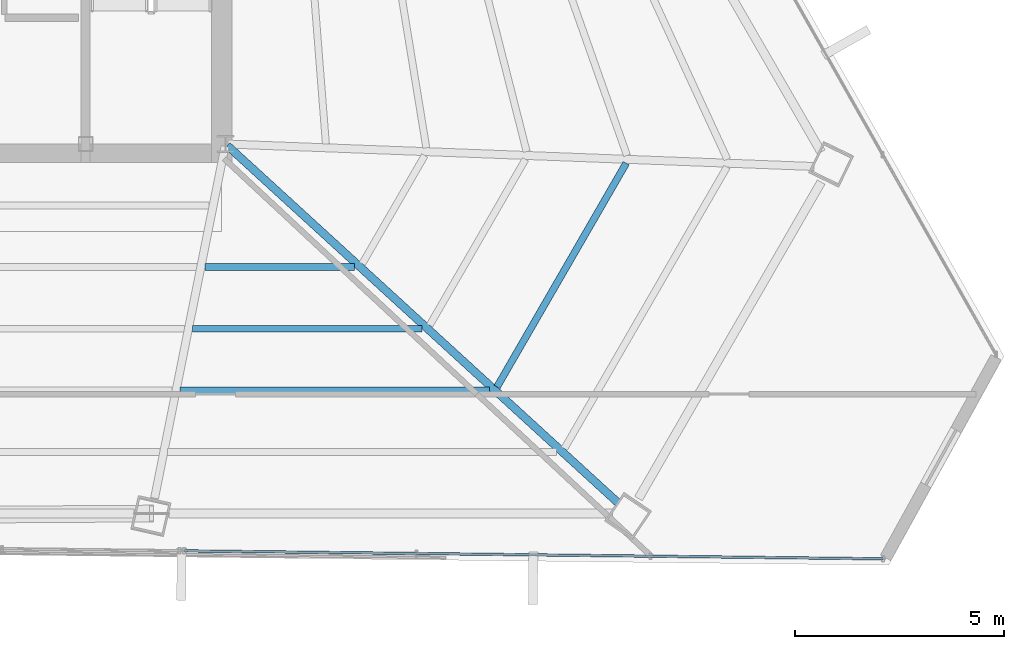
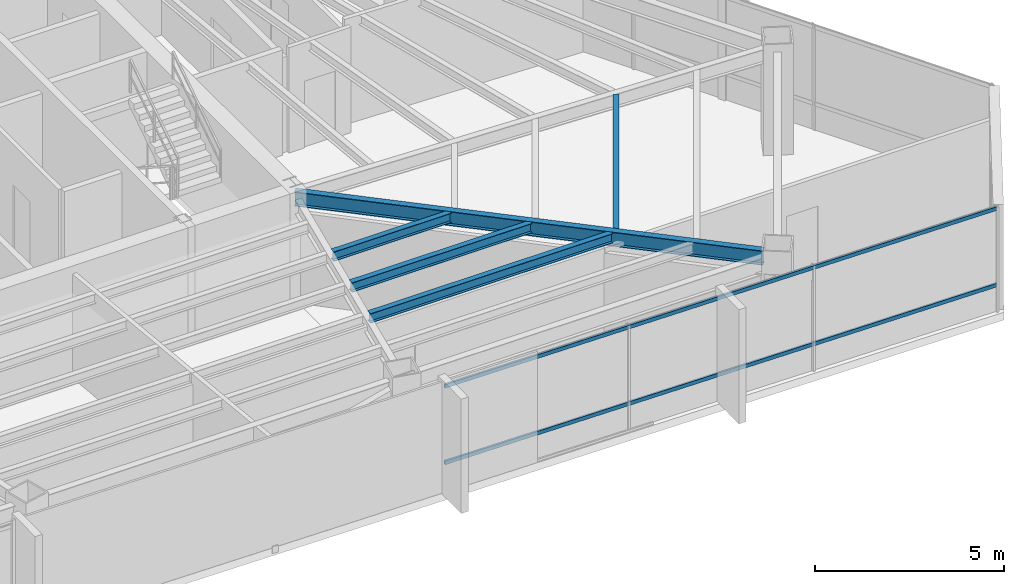
# One storey, part 19 of 40: 5 beams, 2 members, 1 element without a shape of its own.
"""IFC4 building model written with IfcOpenShell, lengths in metres."""

from ifc_helpers import new_model, si_unit, direction, frame, origin, origin_2d, place, context, subcontext, project, spatial, hollow_rectangle, i_section, extrude, source, transform, mapped, material, material_profile, profile_set, type_object, type_shapes, element, aggregate, save


model = new_model("IFC4")

# Units and contexts
model_context = context("Model", 3, precision=1e-05, world=origin(), true_north=direction((0.0, 1.0)))
body_context = subcontext(model_context, "Body", "Model", "MODEL_VIEW")
ifc_project = project(units=[si_unit("LENGTHUNIT", "METRE"), si_unit("AREAUNIT", "SQUARE_METRE"), si_unit("VOLUMEUNIT", "CUBIC_METRE"), si_unit("PLANEANGLEUNIT", "RADIAN"), si_unit("MASSUNIT", "GRAM", prefix="KILO")], contexts=[model_context])

# Site, building, storey
site_placement = place(None, origin())
site = spatial("IfcSite", under=ifc_project, at=site_placement, CompositionType="ELEMENT")
building_placement = place(site_placement, origin())
building = spatial("IfcBuilding", under=site, at=building_placement, Name="Caelisora Broadcast Tower", CompositionType="ELEMENT")
storey_placement = place(building_placement, frame((0.0, 0.0, 213.25)))
storey = spatial("IfcBuildingStorey", under=building, at=storey_placement, Name="L56", CompositionType="ELEMENT", Elevation=213.25)

# Beams
ifc_material_1 = material(Name="Steel Grade 350 (AS/NZS 3679.1)", Category="steel")
ifc_material_profile_1 = material_profile(ifc_material_1, i_section(OverallWidth=0.19091796875, OverallDepth=0.46044921875, WebThickness=0.010009765625, FlangeThickness=0.01611328125, at=origin_2d()), Name="Steel Grade 350 (AS/NZS 3679.1)")
ifc_profile_set_1 = profile_set([ifc_material_profile_1], Name="Steel Grade 350 (AS/NZS 3679.1)")
beam_type_1 = type_object("IfcBeamType", Name="PG06", PredefinedType="BEAM", material=ifc_profile_set_1)
shared_shape_1 = source(origin(), body_context, "Body", "SweptSolid", [
    extrude(i_section(OverallWidth=0.19091796875, OverallDepth=0.46044921875, WebThickness=0.010009765625, FlangeThickness=0.01611328125, at=origin_2d()), origin(), (0.0, 0.0, 1.0), 12.681640625),
])
type_shapes(beam_type_1, [shared_shape_1])
beam_1_placement = place(storey_placement, frame((45.544189453125, 17.359619140625, 3.169921875), z_axis=(0.738084415517, -0.674708378169, 0.0), x_axis=(0.674708378169, 0.738084415517, 0.0)))
element("IfcBeam", 1, at=beam_1_placement, inside=storey, type_object=beam_type_1, Name="L56 beam PG06", PredefinedType="BEAM", context=body_context, shape_type="MappedRepresentation", body=[
    mapped(shared_shape_1, transform((0.0, 0.0, 0.0), scale=1.0)),
])
ifc_material_profile_2 = material_profile(ifc_material_1, i_section(OverallWidth=0.166015625, OverallDepth=0.30712890625, WebThickness=0.006591796875, FlangeThickness=0.01171875, at=origin_2d()), Name="Steel Grade 350 (AS/NZS 3679.1)")
ifc_profile_set_2 = profile_set([ifc_material_profile_2], Name="Steel Grade 350 (AS/NZS 3679.1)")
beam_type_2 = type_object("IfcBeamType", Name="SB03", PredefinedType="JOIST", material=ifc_profile_set_2)
shared_shape_2 = source(origin(), body_context, "Body", "SweptSolid", [
    extrude(i_section(OverallWidth=0.166015625, OverallDepth=0.30712890625, WebThickness=0.006591796875, FlangeThickness=0.01171875, at=origin_2d()), origin(), (0.0, 0.0, 1.0), 6.186279296875),
])
beam_2_placement = place(storey_placement, frame((52.001953125, 11.581787109375, 3.246337890625), z_axis=(0.500018519501, 0.866014711281, 0.0), x_axis=(-0.866014711281, 0.500018519501, 0.0)))
element("IfcBeam", 2, at=beam_2_placement, inside=storey, type_object=beam_type_2, Name="L56 beam SB03", PredefinedType="JOIST", context=body_context, shape_type="MappedRepresentation", body=[
    mapped(shared_shape_2, transform((0.0, 0.0, 0.0), scale=1.0)),
])
shared_shape_3 = source(origin(), body_context, "Body", "SweptSolid", [
    extrude(i_section(OverallWidth=0.166015625, OverallDepth=0.30712890625, WebThickness=0.006591796875, FlangeThickness=0.01171875, at=origin_2d()), origin(), (0.0, 0.0, 1.0), 3.58544921875),
])
beam_3_placement = place(storey_placement, frame((45.00341796875, 14.44970703125, 3.246337890625), z_axis=(1.0, 0.0, 0.0), x_axis=(0.0, 1.0, 0.0)))
element("IfcBeam", 3, at=beam_3_placement, inside=storey, type_object=beam_type_2, Name="L56 beam SB03", PredefinedType="JOIST", context=body_context, shape_type="MappedRepresentation", body=[
    mapped(shared_shape_3, transform((0.0, 0.0, 0.0), scale=1.0)),
])
shared_shape_4 = source(origin(), body_context, "Body", "SweptSolid", [
    extrude(i_section(OverallWidth=0.166015625, OverallDepth=0.30712890625, WebThickness=0.006591796875, FlangeThickness=0.01171875, at=origin_2d()), origin(), (0.0, 0.0, 1.0), 5.494384765625),
])
beam_4_placement = place(storey_placement, frame((44.7080078125, 12.974853515625, 3.246337890625), z_axis=(1.0, 0.0, 0.0), x_axis=(0.0, 1.0, 0.0)))
element("IfcBeam", 4, at=beam_4_placement, inside=storey, type_object=beam_type_2, Name="L56 beam SB03", PredefinedType="JOIST", context=body_context, shape_type="MappedRepresentation", body=[
    mapped(shared_shape_4, transform((0.0, 0.0, 0.0), scale=1.0)),
])
shared_shape_5 = source(origin(), body_context, "Body", "SweptSolid", [
    extrude(i_section(OverallWidth=0.166015625, OverallDepth=0.30712890625, WebThickness=0.006591796875, FlangeThickness=0.01171875, at=origin_2d()), origin(), (0.0, 0.0, 1.0), 7.403564453125),
])
type_shapes(beam_type_2, [shared_shape_2, shared_shape_3, shared_shape_4, shared_shape_5])
beam_5_placement = place(storey_placement, frame((44.41259765625, 11.499755859375, 3.246337890625), z_axis=(1.0, 0.0, 0.0), x_axis=(0.0, 1.0, 0.0)))
element("IfcBeam", 5, at=beam_5_placement, inside=storey, type_object=beam_type_2, Name="L56 beam SB03", PredefinedType="JOIST", context=body_context, shape_type="MappedRepresentation", body=[
    mapped(shared_shape_5, transform((0.0, 0.0, 0.0), scale=1.0)),
])

# Curtain wall, members
ifc_material_2 = material(Name="Unitised Aluminium and Low-E Glass Curtain Wall", Category="glass")
curtain_wall_type = type_object("IfcCurtainWallType", Name="CW-Z4", PredefinedType="NOTDEFINED", material=ifc_material_2)
curtain_wall_placement = place(storey_placement, origin())
curtain_wall = element("IfcCurtainWall", 6, at=curtain_wall_placement, inside=storey, type_object=curtain_wall_type, Name="L56 curtain wall CW-Z4", PredefinedType="NOTDEFINED")
ifc_material_3 = material(Name="Aluminium 6063-T6 Anodised Terracotta Bronze", Category="aluminium")
ifc_material_profile_3 = material_profile(ifc_material_3, hollow_rectangle(XDim=0.06005859375, YDim=0.1201171875, WallThickness=0.0029296875, at=origin_2d()), Name="Aluminium 6063-T6 Anodised Terracotta Bronze")
ifc_profile_set_3 = profile_set([ifc_material_profile_3], Name="Aluminium 6063-T6 Anodised Terracotta Bronze")
member_type = type_object("IfcMemberType", Name="CWT-03", PredefinedType="USERDEFINED", material=ifc_profile_set_3)
shared_shape_6 = source(origin(), body_context, "Body", "SweptSolid", [
    extrude(hollow_rectangle(XDim=0.06005859375, YDim=0.1201171875, WallThickness=0.0029296875, at=origin_2d()), origin(), (0.0, 0.0, 1.0), 16.737548828125),
])
type_shapes(member_type, [shared_shape_6])
member_1_placement = place(storey_placement, frame((61.242919921875, 7.464599609375, 0.85009765625), z_axis=(-0.999934274784, 0.01146499504, 0.0), x_axis=(-0.01146499504, -0.999934274784, 0.0)))
member_1 = element("IfcMember", 7, at=member_1_placement, type_object=member_type, Name="L56-CW-B05 transom #1", ObjectType="TRANSOM", PredefinedType="USERDEFINED", context=body_context, shape_type="MappedRepresentation", body=[
    mapped(shared_shape_6, transform((0.0, 0.0, 0.0), scale=1.0)),
])
member_2_placement = place(storey_placement, frame((61.242919921875, 7.464599609375, 3.320068359375), z_axis=(-0.999934274784, 0.01146499504, 0.0), x_axis=(-0.01146499504, -0.999934274784, 0.0)))
member_2 = element("IfcMember", 8, at=member_2_placement, type_object=member_type, Name="L56-CW-B05 transom #2", ObjectType="TRANSOM", PredefinedType="USERDEFINED", context=body_context, shape_type="MappedRepresentation", body=[
    mapped(shared_shape_6, transform((0.0, 0.0, 0.0), scale=1.0)),
])
aggregate(curtain_wall, [member_1, member_2])

save(model, "model.ifc")
